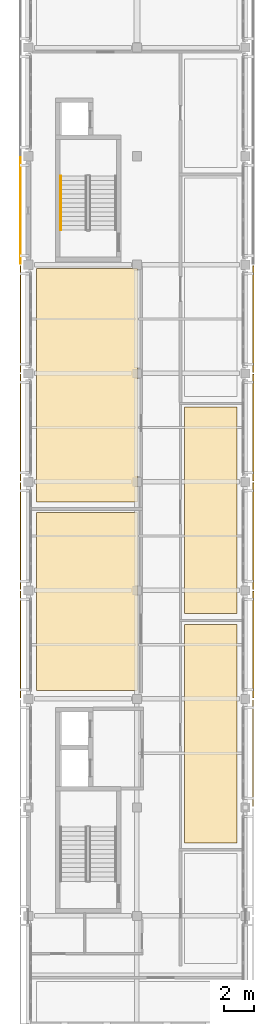
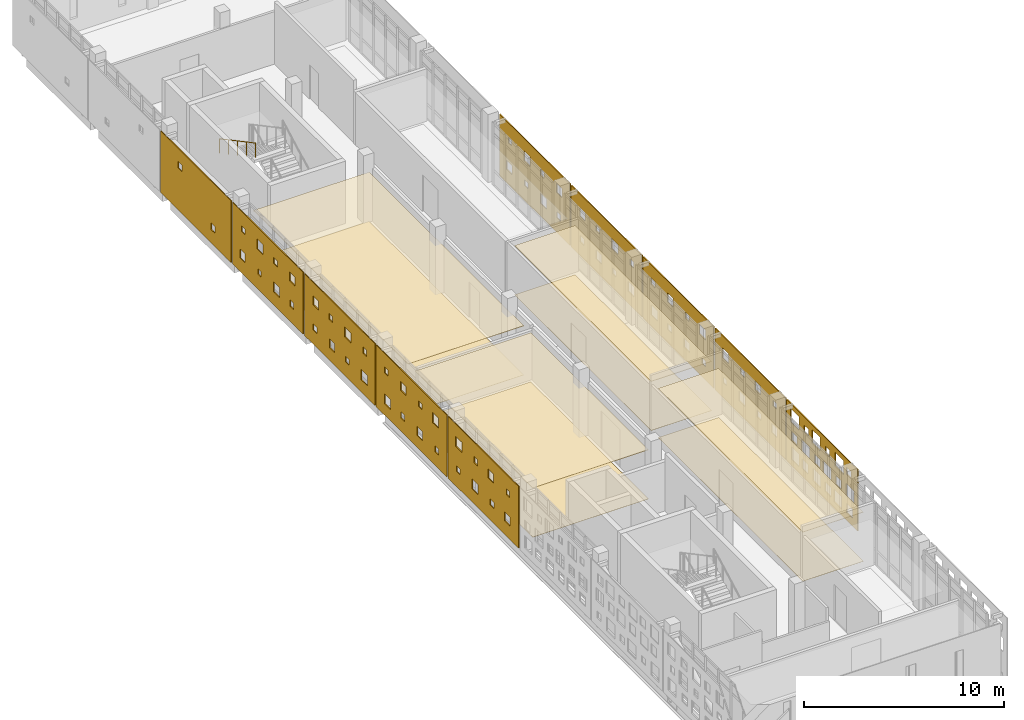
# One storey, part 20 of 21: 18 coverings, 1 railing.
"""IFC4 building model written with IfcOpenShell, lengths in metres."""

from ifc_helpers import new_model, si_unit, direction, frame, origin, origin_2d, place, context, subcontext, project, spatial, polyline, circle, outline, extrude, material, layer, layer_set, type_object, element, save


model = new_model("IFC4")

# Units and contexts
model_context = context("Model", 3, precision=1e-05, world=origin(), true_north=direction((0.0, 1.0)))
body_context = subcontext(model_context, "Body", "Model", "MODEL_VIEW")
ifc_project = project(units=[si_unit("LENGTHUNIT", "METRE"), si_unit("AREAUNIT", "SQUARE_METRE"), si_unit("VOLUMEUNIT", "CUBIC_METRE"), si_unit("PLANEANGLEUNIT", "RADIAN"), si_unit("MASSUNIT", "GRAM", prefix="KILO")], contexts=[model_context])

# Site, building, storey
site_placement = place(None, origin())
site = spatial("IfcSite", under=ifc_project, at=site_placement, CompositionType="ELEMENT")
building_placement = place(site_placement, origin())
building = spatial("IfcBuilding", under=site, at=building_placement, Name="Valkovuoma Quantum and Materials Research Institute", CompositionType="ELEMENT")
storey_placement = place(building_placement, frame((0.0, 0.0, 29.760009765625)))
storey = spatial("IfcBuildingStorey", under=building, at=storey_placement, Name="L07", CompositionType="ELEMENT", Elevation=29.760009765625)

# Coverings
ifc_material_1 = material(Name="Cleanable acoustic mineral-fibre suspended ceiling", Category="masonry")
ifc_layer_1 = layer(ifc_material_1, 0.02490234375)
ifc_layer_set_1 = layer_set([ifc_layer_1], Name="Cleanable acoustic mineral-fibre suspended ceiling")
covering_type_1 = type_object("IfcCoveringType", Name="Cov-CEIL-01", PredefinedType="CEILING", material=ifc_layer_set_1)
covering_1_placement = place(storey_placement, frame((0.0, 0.0, 3.0)))
element("IfcCovering", 1, at=covering_1_placement, inside=storey, type_object=covering_type_1, Name="L07 acoustic ceiling 0148", PredefinedType="CEILING", context=body_context, shape_type="SweptSolid", body=[
    extrude(outline(polyline([(0.550048828125, 43.75), (7.25, 43.75), (7.25, 55.550048828125), (0.550048828125, 55.550048828125), (0.550048828125, 43.75)])), origin(), (0.0, 0.0, 1.0), 0.02490234375),
])
covering_2_placement = place(storey_placement, frame((0.0, 0.0, 3.0)))
element("IfcCovering", 2, at=covering_2_placement, inside=storey, type_object=covering_type_1, Name="L07 acoustic ceiling 0149", PredefinedType="CEILING", context=body_context, shape_type="SweptSolid", body=[
    extrude(outline(polyline([(0.550048828125, 56.25), (7.25, 56.25), (7.25, 71.75), (0.550048828125, 71.75), (0.550048828125, 56.25)])), origin(), (0.0, 0.0, 1.0), 0.02490234375),
])
covering_3_placement = place(storey_placement, frame((0.0, 0.0, 3.0)))
element("IfcCovering", 3, at=covering_3_placement, inside=storey, type_object=covering_type_1, Name="L07 acoustic ceiling 0152", PredefinedType="CEILING", context=body_context, shape_type="SweptSolid", body=[
    extrude(outline(polyline([(10.35009765625, 33.64990234375), (13.85009765625, 33.64990234375), (13.85009765625, 48.14990234375), (10.35009765625, 48.14990234375), (10.35009765625, 33.64990234375)])), origin(), (0.0, 0.0, 1.0), 0.02490234375),
])
covering_4_placement = place(storey_placement, frame((0.0, 0.0, 3.0)))
element("IfcCovering", 4, at=covering_4_placement, inside=storey, type_object=covering_type_1, Name="L07 acoustic ceiling 0153", PredefinedType="CEILING", context=body_context, shape_type="SweptSolid", body=[
    extrude(outline(polyline([(10.35009765625, 48.85009765625), (13.85009765625, 48.85009765625), (13.85009765625, 62.550048828125), (10.35009765625, 62.550048828125), (10.35009765625, 48.85009765625)])), origin(), (0.0, 0.0, 1.0), 0.02490234375),
])
ifc_material_2 = material(Name="Seamless dissipative laboratory resin flooring", Category="masonry")
ifc_layer_2 = layer(ifc_material_2, 0.014892578125)
ifc_layer_set_2 = layer_set([ifc_layer_2], Name="Seamless dissipative laboratory resin flooring")
covering_type_2 = type_object("IfcCoveringType", Name="Cov-FLOR-01", PredefinedType="FLOORING", material=ifc_layer_set_2)
covering_5_placement = place(storey_placement, origin())
element("IfcCovering", 5, at=covering_5_placement, inside=storey, type_object=covering_type_2, Name="L07 resin flooring 0148", PredefinedType="FLOORING", context=body_context, shape_type="SweptSolid", body=[
    extrude(outline(polyline([(0.550048828125, 43.75), (7.25, 43.75), (7.25, 55.550048828125), (0.550048828125, 55.550048828125), (0.550048828125, 43.75)])), origin(), (0.0, 0.0, 1.0), 0.014892578125),
])
covering_6_placement = place(storey_placement, origin())
element("IfcCovering", 6, at=covering_6_placement, inside=storey, type_object=covering_type_2, Name="L07 resin flooring 0149", PredefinedType="FLOORING", context=body_context, shape_type="SweptSolid", body=[
    extrude(outline(polyline([(0.550048828125, 56.25), (7.25, 56.25), (7.25, 71.75), (0.550048828125, 71.75), (0.550048828125, 56.25)])), origin(), (0.0, 0.0, 1.0), 0.014892578125),
])
covering_7_placement = place(storey_placement, origin())
element("IfcCovering", 7, at=covering_7_placement, inside=storey, type_object=covering_type_2, Name="L07 resin flooring 0152", PredefinedType="FLOORING", context=body_context, shape_type="SweptSolid", body=[
    extrude(outline(polyline([(10.35009765625, 33.64990234375), (13.85009765625, 33.64990234375), (13.85009765625, 48.14990234375), (10.35009765625, 48.14990234375), (10.35009765625, 33.64990234375)])), origin(), (0.0, 0.0, 1.0), 0.014892578125),
])
covering_8_placement = place(storey_placement, origin())
element("IfcCovering", 8, at=covering_8_placement, inside=storey, type_object=covering_type_2, Name="L07 resin flooring 0153", PredefinedType="FLOORING", context=body_context, shape_type="SweptSolid", body=[
    extrude(outline(polyline([(10.35009765625, 48.85009765625), (13.85009765625, 48.85009765625), (13.85009765625, 62.550048828125), (10.35009765625, 62.550048828125), (10.35009765625, 48.85009765625)])), origin(), (0.0, 0.0, 1.0), 0.014892578125),
])
ifc_material_3 = material(Name="White powder-coated aluminium architectural panel", Category="aluminium")
ifc_layer_3 = layer(ifc_material_3, 0.054931640625)
ifc_layer_set_3 = layer_set([ifc_layer_3], Name="White powder-coated aluminium architectural panel")
covering_type_3 = type_object("IfcCoveringType", Name="Cov-PERF-DENSE", PredefinedType="CLADDING", material=ifc_layer_set_3)
covering_9_placement = place(storey_placement, frame((14.919921875, 36.06005859375, 0.02001953125), z_axis=(0.0, 0.0, 1.0), x_axis=(0.0, 1.0, 0.0)))
element("IfcCovering", 9, at=covering_9_placement, inside=storey, type_object=covering_type_3, Name="L07 graduated perforated white screen E-0101", PredefinedType="CLADDING", context=body_context, shape_type="SweptSolid", body=[
    extrude(outline(polyline([(0.0, 0.0), (7.079833984375, 0.0), (7.079833984375, 3.77001953125), (0.0, 3.77001953125), (0.0, 0.0)]), holes=[polyline([(0.50830078125, 0.485107421875), (0.50830078125, 1.06494140625), (1.08837890625, 1.06494140625), (1.08837890625, 0.485107421875), (0.50830078125, 0.485107421875)]), polyline([(0.33837890625, 1.43505859375), (0.33837890625, 2.235107421875), (1.13818359375, 2.235107421875), (1.13818359375, 1.43505859375), (0.33837890625, 1.43505859375)]), polyline([(0.648193359375, 2.8349609375), (0.648193359375, 3.2548828125), (1.068359375, 3.2548828125), (1.068359375, 2.8349609375), (0.648193359375, 2.8349609375)]), polyline([(1.574951171875, 0.39501953125), (1.574951171875, 1.155029296875), (2.3349609375, 1.155029296875), (2.3349609375, 0.39501953125), (1.574951171875, 0.39501953125)]), polyline([(1.625, 1.56494140625), (1.625, 2.10498046875), (2.1650390625, 2.10498046875), (2.1650390625, 1.56494140625), (1.625, 1.56494140625)]), polyline([(1.4150390625, 2.625), (1.4150390625, 3.465087890625), (2.2548828125, 3.465087890625), (2.2548828125, 2.625), (1.4150390625, 2.625)]), polyline([(2.6416015625, 0.485107421875), (2.6416015625, 1.06494140625), (3.2216796875, 1.06494140625), (3.2216796875, 0.485107421875), (2.6416015625, 0.485107421875)]), polyline([(2.651611328125, 1.43505859375), (2.651611328125, 2.235107421875), (3.45166015625, 2.235107421875), (3.45166015625, 1.43505859375), (2.651611328125, 1.43505859375)]), polyline([(2.78173828125, 2.8349609375), (2.78173828125, 3.2548828125), (3.20166015625, 3.2548828125), (3.20166015625, 2.8349609375), (2.78173828125, 2.8349609375)]), polyline([(3.708251953125, 0.39501953125), (3.708251953125, 1.155029296875), (4.46826171875, 1.155029296875), (4.46826171875, 0.39501953125), (3.708251953125, 0.39501953125)]), polyline([(3.75830078125, 1.56494140625), (3.75830078125, 2.10498046875), (4.29833984375, 2.10498046875), (4.29833984375, 1.56494140625), (3.75830078125, 1.56494140625)]), polyline([(3.728271484375, 2.625), (3.728271484375, 3.465087890625), (4.568359375, 3.465087890625), (4.568359375, 2.625), (3.728271484375, 2.625)]), polyline([(4.955078125, 0.485107421875), (4.955078125, 1.06494140625), (5.534912109375, 1.06494140625), (5.534912109375, 0.485107421875), (4.955078125, 0.485107421875)]), polyline([(4.784912109375, 1.43505859375), (4.784912109375, 2.235107421875), (5.5849609375, 2.235107421875), (5.5849609375, 1.43505859375), (4.784912109375, 1.43505859375)]), polyline([(4.9150390625, 2.8349609375), (4.9150390625, 3.2548828125), (5.3349609375, 3.2548828125), (5.3349609375, 2.8349609375), (4.9150390625, 2.8349609375)]), polyline([(5.841796875, 0.39501953125), (5.841796875, 1.155029296875), (6.601806640625, 1.155029296875), (6.601806640625, 0.39501953125), (5.841796875, 0.39501953125)]), polyline([(6.07177734375, 1.56494140625), (6.07177734375, 2.10498046875), (6.61181640625, 2.10498046875), (6.61181640625, 1.56494140625), (6.07177734375, 1.56494140625)]), polyline([(5.86181640625, 2.625), (5.86181640625, 3.465087890625), (6.70166015625, 3.465087890625), (6.70166015625, 2.625), (5.86181640625, 2.625)])]), frame((0.0, 0.02734375, 0.0), z_axis=(0.0, -1.0, 0.0), x_axis=(1.0, 0.0, 0.0)), (0.0, 0.0, 1.0), 0.054931640625),
])
ifc_material_4 = material(Name="White powder-coated aluminium architectural panel", Category="aluminium")
ifc_layer_4 = layer(ifc_material_4, 0.054931640625)
ifc_layer_set_4 = layer_set([ifc_layer_4], Name="White powder-coated aluminium architectural panel")
covering_type_4 = type_object("IfcCoveringType", Name="Cov-PERF-MID", PredefinedType="CLADDING", material=ifc_layer_set_4)
for number, where, z_axis, x_axis, name in (
    (10, (-0.52001953125, 43.260009765625, 0.02001953125), (0.0, 0.0, 1.0), (0.0, 1.0, 0.0), "L07 graduated perforated white screen W-0102"),
    (11, (14.919921875, 43.260009765625, 0.02001953125), (0.0, 0.0, 1.0), (0.0, 1.0, 0.0), "L07 graduated perforated white screen E-0103"),
):
    element("IfcCovering", number, at=place(storey_placement, frame(where, z_axis=z_axis, x_axis=x_axis)), inside=storey, type_object=covering_type_4, Name=name, PredefinedType="CLADDING", context=body_context, shape_type="SweptSolid", body=[
        extrude(outline(polyline([(0.0, 0.0), (7.080078125, 0.0), (7.080078125, 3.77001953125), (0.0, 3.77001953125), (0.0, 0.0)]), holes=[polyline([(0.862548828125, 0.83251953125), (0.862548828125, 1.37255859375), (1.402587890625, 1.37255859375), (1.402587890625, 0.83251953125), (0.862548828125, 0.83251953125)]), polyline([(0.902587890625, 2.547607421875), (0.902587890625, 2.887451171875), (1.242431640625, 2.887451171875), (1.242431640625, 2.547607421875), (0.902587890625, 2.547607421875)]), polyline([(2.467529296875, 0.91259765625), (2.467529296875, 1.29248046875), (2.847412109375, 1.29248046875), (2.847412109375, 0.91259765625), (2.467529296875, 0.91259765625)]), polyline([(2.507568359375, 2.447509765625), (2.507568359375, 2.987548828125), (3.047607421875, 2.987548828125), (3.047607421875, 2.447509765625), (2.507568359375, 2.447509765625)]), polyline([(4.052490234375, 0.79248046875), (4.052490234375, 1.41259765625), (4.672607421875, 1.41259765625), (4.672607421875, 0.79248046875), (4.052490234375, 0.79248046875)]), polyline([(4.112548828125, 2.527587890625), (4.112548828125, 2.907470703125), (4.492431640625, 2.907470703125), (4.492431640625, 2.527587890625), (4.112548828125, 2.527587890625)]), polyline([(5.8974609375, 0.9326171875), (5.8974609375, 1.2724609375), (6.237548828125, 1.2724609375), (6.237548828125, 0.9326171875), (5.8974609375, 0.9326171875)]), polyline([(5.697509765625, 2.407470703125), (5.697509765625, 3.027587890625), (6.3173828125, 3.027587890625), (6.3173828125, 2.407470703125), (5.697509765625, 2.407470703125)])]), frame((0.0, 0.02734375, 0.0), z_axis=(0.0, -1.0, 0.0), x_axis=(1.0, 0.0, 0.0)), (0.0, 0.0, 1.0), 0.054931640625),
    ])
for number, where, z_axis, x_axis, name in (
    (12, (-0.52001953125, 50.4599609375, 0.02001953125), (0.0, 0.0, 1.0), (0.0, 1.0, 0.0), "L07 graduated perforated white screen W-0104"),
    (13, (14.919921875, 50.4599609375, 0.02001953125), (0.0, 0.0, 1.0), (0.0, 1.0, 0.0), "L07 graduated perforated white screen E-0105"),
):
    element("IfcCovering", number, at=place(storey_placement, frame(where, z_axis=z_axis, x_axis=x_axis)), inside=storey, type_object=covering_type_4, Name=name, PredefinedType="CLADDING", context=body_context, shape_type="SweptSolid", body=[
        extrude(outline(polyline([(0.0, 0.0), (7.080078125, 0.0), (7.080078125, 3.77001953125), (0.0, 3.77001953125), (0.0, 0.0)]), holes=[polyline([(0.842529296875, 0.83251953125), (0.842529296875, 1.172607421875), (1.1826171875, 1.172607421875), (1.1826171875, 0.83251953125), (0.842529296875, 0.83251953125)]), polyline([(0.822509765625, 2.45751953125), (0.822509765625, 3.077392578125), (1.4423828125, 3.077392578125), (1.4423828125, 2.45751953125), (0.822509765625, 2.45751953125)]), polyline([(2.447509765625, 0.732421875), (2.447509765625, 1.2724609375), (2.987548828125, 1.2724609375), (2.987548828125, 0.732421875), (2.447509765625, 0.732421875)]), polyline([(2.487548828125, 2.597412109375), (2.487548828125, 2.9375), (2.827392578125, 2.9375), (2.827392578125, 2.597412109375), (2.487548828125, 2.597412109375)]), polyline([(4.232421875, 0.8125), (4.232421875, 1.1923828125), (4.612548828125, 1.1923828125), (4.612548828125, 0.8125), (4.232421875, 0.8125)]), polyline([(4.092529296875, 2.49755859375), (4.092529296875, 3.03759765625), (4.632568359375, 3.03759765625), (4.632568359375, 2.49755859375), (4.092529296875, 2.49755859375)]), polyline([(5.637451171875, 0.6923828125), (5.637451171875, 1.3125), (6.257568359375, 1.3125), (6.257568359375, 0.6923828125), (5.637451171875, 0.6923828125)]), polyline([(5.87744140625, 2.577392578125), (5.87744140625, 2.95751953125), (6.257568359375, 2.95751953125), (6.257568359375, 2.577392578125), (5.87744140625, 2.577392578125)])]), frame((0.0, 0.02734375, 0.0), z_axis=(0.0, -1.0, 0.0), x_axis=(1.0, 0.0, 0.0)), (0.0, 0.0, 1.0), 0.054931640625),
    ])
for number, where, z_axis, x_axis, name in (
    (14, (-0.52001953125, 57.659912109375, 0.02001953125), (0.0, 0.0, 1.0), (0.0, 1.0, 0.0), "L07 graduated perforated white screen W-0106"),
    (15, (14.919921875, 57.659912109375, 0.02001953125), (0.0, 0.0, 1.0), (0.0, 1.0, 0.0), "L07 graduated perforated white screen E-0107"),
):
    element("IfcCovering", number, at=place(storey_placement, frame(where, z_axis=z_axis, x_axis=x_axis)), inside=storey, type_object=covering_type_4, Name=name, PredefinedType="CLADDING", context=body_context, shape_type="SweptSolid", body=[
        extrude(outline(polyline([(0.0, 0.0), (7.080078125, 0.0), (7.080078125, 3.77001953125), (0.0, 3.77001953125), (0.0, 0.0)]), holes=[polyline([(0.762451171875, 0.742431640625), (0.762451171875, 1.362548828125), (1.382568359375, 1.362548828125), (1.382568359375, 0.742431640625), (0.762451171875, 0.742431640625)]), polyline([(0.822509765625, 2.4775390625), (0.822509765625, 2.857421875), (1.202392578125, 2.857421875), (1.202392578125, 2.4775390625), (0.822509765625, 2.4775390625)]), polyline([(2.607421875, 0.882568359375), (2.607421875, 1.222412109375), (2.947509765625, 1.222412109375), (2.947509765625, 0.882568359375), (2.607421875, 0.882568359375)]), polyline([(2.407470703125, 2.357421875), (2.407470703125, 2.9775390625), (3.027587890625, 2.9775390625), (3.027587890625, 2.357421875), (2.407470703125, 2.357421875)]), polyline([(4.032470703125, 0.782470703125), (4.032470703125, 1.322509765625), (4.572509765625, 1.322509765625), (4.572509765625, 0.782470703125), (4.032470703125, 0.782470703125)]), polyline([(4.25244140625, 2.49755859375), (4.25244140625, 2.83740234375), (4.592529296875, 2.83740234375), (4.592529296875, 2.49755859375), (4.25244140625, 2.49755859375)]), polyline([(5.8173828125, 0.862548828125), (5.8173828125, 1.242431640625), (6.197509765625, 1.242431640625), (6.197509765625, 0.862548828125), (5.8173828125, 0.862548828125)]), polyline([(5.677490234375, 2.3974609375), (5.677490234375, 2.9375), (6.217529296875, 2.9375), (6.217529296875, 2.3974609375), (5.677490234375, 2.3974609375)])]), frame((0.0, 0.02734375, 0.0), z_axis=(0.0, -1.0, 0.0), x_axis=(1.0, 0.0, 0.0)), (0.0, 0.0, 1.0), 0.054931640625),
    ])
for number, where, z_axis, x_axis, name in (
    (16, (-0.52001953125, 64.860107421875, 0.02001953125), (0.0, 0.0, 1.0), (0.0, 1.0, 0.0), "L07 graduated perforated white screen W-0108"),
    (17, (14.919921875, 64.860107421875, 0.02001953125), (0.0, 0.0, 1.0), (0.0, 1.0, 0.0), "L07 graduated perforated white screen E-0109"),
):
    element("IfcCovering", number, at=place(storey_placement, frame(where, z_axis=z_axis, x_axis=x_axis)), inside=storey, type_object=covering_type_4, Name=name, PredefinedType="CLADDING", context=body_context, shape_type="SweptSolid", body=[
        extrude(outline(polyline([(0.0, 0.0), (7.079833984375, 0.0), (7.079833984375, 3.77001953125), (0.0, 3.77001953125), (0.0, 0.0)]), holes=[polyline([(0.9423828125, 0.91259765625), (0.9423828125, 1.29248046875), (1.322509765625, 1.29248046875), (1.322509765625, 0.91259765625), (0.9423828125, 0.91259765625)]), polyline([(0.802490234375, 2.447509765625), (0.802490234375, 2.987548828125), (1.342529296875, 2.987548828125), (1.342529296875, 2.447509765625), (0.802490234375, 2.447509765625)]), polyline([(2.347412109375, 0.79248046875), (2.347412109375, 1.41259765625), (2.967529296875, 1.41259765625), (2.967529296875, 0.79248046875), (2.347412109375, 0.79248046875)]), polyline([(2.58740234375, 2.527587890625), (2.58740234375, 2.907470703125), (2.967529296875, 2.907470703125), (2.967529296875, 2.527587890625), (2.58740234375, 2.527587890625)]), polyline([(4.1923828125, 0.9326171875), (4.1923828125, 1.2724609375), (4.532470703125, 1.2724609375), (4.532470703125, 0.9326171875), (4.1923828125, 0.9326171875)]), polyline([(3.992431640625, 2.407470703125), (3.992431640625, 3.027587890625), (4.612548828125, 3.027587890625), (4.612548828125, 2.407470703125), (3.992431640625, 2.407470703125)]), polyline([(5.797607421875, 0.83251953125), (5.797607421875, 1.37255859375), (6.33740234375, 1.37255859375), (6.33740234375, 0.83251953125), (5.797607421875, 0.83251953125)]), polyline([(5.83740234375, 2.547607421875), (5.83740234375, 2.887451171875), (6.177490234375, 2.887451171875), (6.177490234375, 2.547607421875), (5.83740234375, 2.547607421875)])]), frame((0.0, 0.02734375, 0.0), z_axis=(0.0, -1.0, 0.0), x_axis=(1.0, 0.0, 0.0)), (0.0, 0.0, 1.0), 0.054931640625),
    ])
ifc_material_5 = material(Name="White powder-coated aluminium architectural panel", Category="aluminium")
ifc_layer_5 = layer(ifc_material_5, 0.054931640625)
ifc_layer_set_5 = layer_set([ifc_layer_5], Name="White powder-coated aluminium architectural panel")
covering_type_5 = type_object("IfcCoveringType", Name="Cov-PERF-SPARSE", PredefinedType="CLADDING", material=ifc_layer_set_5)
covering_10_placement = place(storey_placement, frame((-0.52001953125, 72.06005859375, 0.02001953125), z_axis=(0.0, 0.0, 1.0), x_axis=(0.0, 1.0, 0.0)))
element("IfcCovering", 18, at=covering_10_placement, inside=storey, type_object=covering_type_5, Name="L07 graduated perforated white screen W-0110", PredefinedType="CLADDING", context=body_context, shape_type="SweptSolid", body=[
    extrude(outline(polyline([(0.0, 0.0), (7.079833984375, 0.0), (7.079833984375, 3.77001953125), (0.0, 3.77001953125), (0.0, 0.0)]), holes=[polyline([(1.635009765625, 0.802490234375), (1.635009765625, 1.202392578125), (2.034912109375, 1.202392578125), (2.034912109375, 0.802490234375), (1.635009765625, 0.802490234375)]), polyline([(4.925048828125, 2.5673828125), (4.925048828125, 2.967529296875), (5.324951171875, 2.967529296875), (5.324951171875, 2.5673828125), (4.925048828125, 2.5673828125)])]), frame((0.0, 0.02734375, 0.0), z_axis=(0.0, -1.0, 0.0), x_axis=(1.0, 0.0, 0.0)), (0.0, 0.0, 1.0), 0.054931640625),
])

# Railing
ifc_material_6 = material(Name="Brushed stainless steel handrail", Category="steel")
railing_type = type_object("IfcRailingType", Name="Rail-HR-ST", PredefinedType="HANDRAIL", material=ifc_material_6)
railing_placement = place(storey_placement, frame((2.14990234375, 77.89990234375, 2.239990234375)))
element("IfcRailing", 19, at=railing_placement, inside=storey, type_object=railing_type, Name="L07 ST-2 stair handrail 2", PredefinedType="HANDRAIL", context=body_context, shape_type="SweptSolid", body=[
    extrude(circle(Radius=0.02392578125, at=origin_2d()), frame((0.0, 0.0, 0.8759765625), z_axis=(0.0, -0.882352941176, 0.470588235294), x_axis=(1.0, 0.0, 0.0)), (0.0, 0.0, 1.0), 4.079833984375),
    extrude(circle(Radius=0.02099609375, at=origin_2d()), origin(), (0.0, 0.0, 1.0), 0.851806640625),
    extrude(circle(Radius=0.02099609375, at=origin_2d()), frame((0.0, -0.89990234375, 0.47998046875)), (0.0, 0.0, 1.0), 0.851806640625),
    extrude(circle(Radius=0.02099609375, at=origin_2d()), frame((0.0, -1.7998046875, 0.9599609375)), (0.0, 0.0, 1.0), 0.851806640625),
    extrude(circle(Radius=0.02099609375, at=origin_2d()), frame((0.0, -2.699951171875, 1.43994140625)), (0.0, 0.0, 1.0), 0.851806640625),
    extrude(circle(Radius=0.02099609375, at=origin_2d()), frame((0.0, -3.599853515625, 1.919921875)), (0.0, 0.0, 1.0), 0.851806640625),
])

save(model, "model.ifc")
